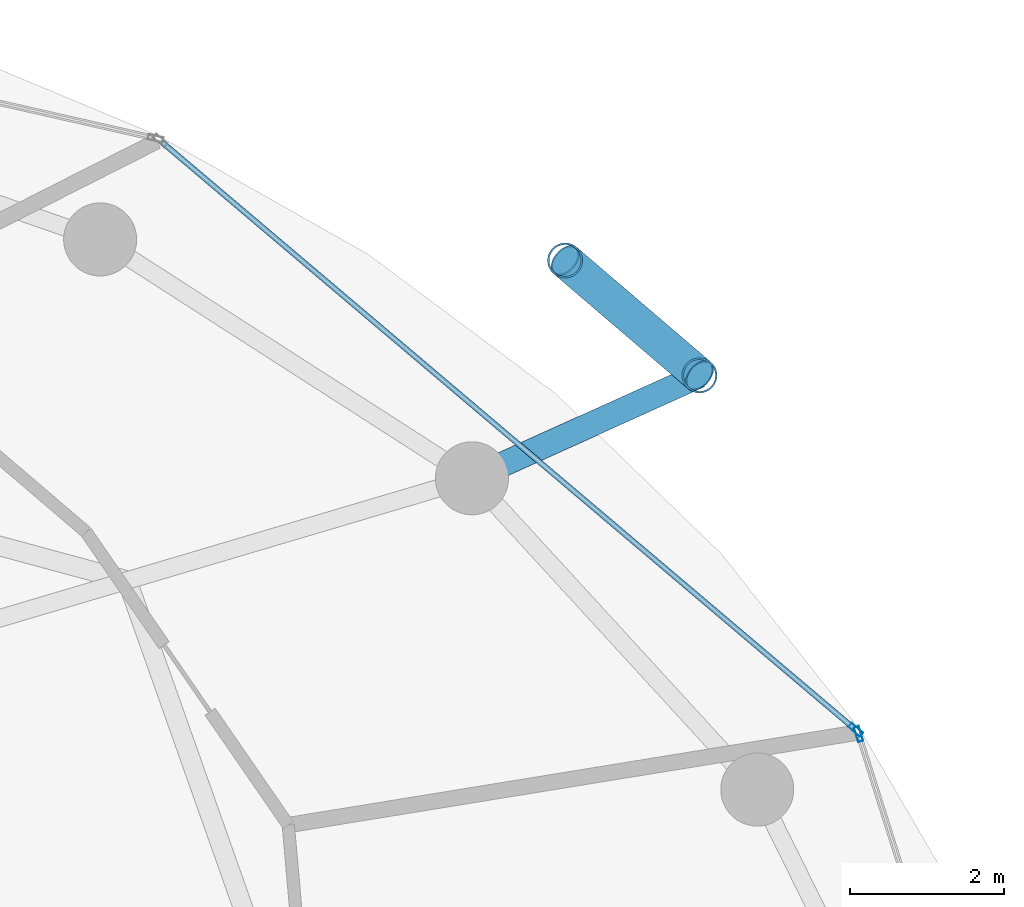
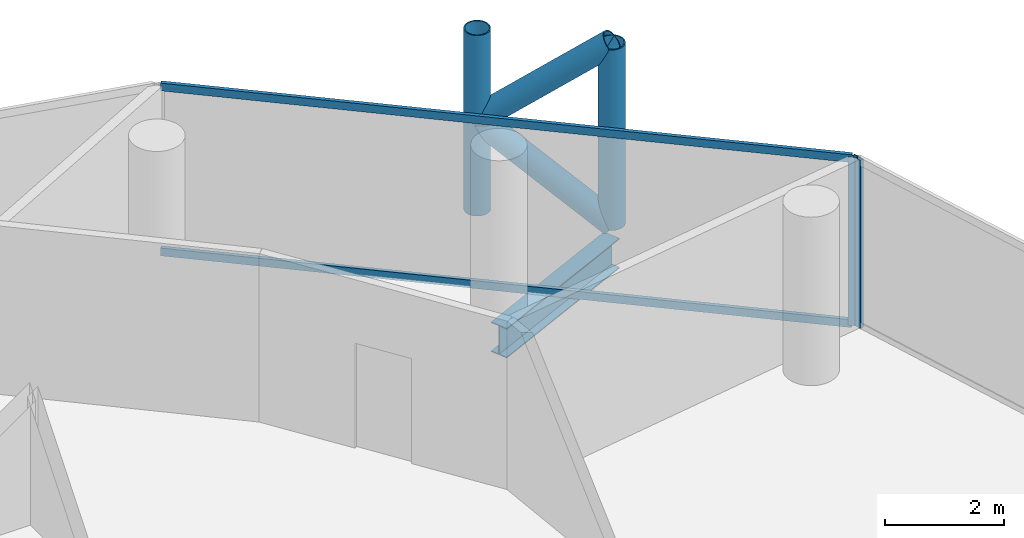
# One storey, part 19 of 26: 8 members, 1 beam, 2 elements without a shape of their own.
"""IFC4 building model written with IfcOpenShell, lengths in metres."""

from ifc_helpers import new_model, si_unit, direction, frame, origin, origin_2d, place, context, subcontext, project, spatial, hollow_rectangle, hollow_circle, i_section, extrude, material, layer, layer_set, material_profile, profile_set, type_object, element, aggregate, save


model = new_model("IFC4")

# Units and contexts
model_context = context("Model", 3, precision=1e-05, world=origin(), true_north=direction((0.0, 1.0)))
body_context = subcontext(model_context, "Body", "Model", "MODEL_VIEW")
ifc_project = project(units=[si_unit("LENGTHUNIT", "METRE"), si_unit("AREAUNIT", "SQUARE_METRE"), si_unit("VOLUMEUNIT", "CUBIC_METRE"), si_unit("PLANEANGLEUNIT", "RADIAN"), si_unit("MASSUNIT", "GRAM", prefix="KILO")], contexts=[model_context])

# Site, building, storey
site_placement = place(None, origin())
site = spatial("IfcSite", under=ifc_project, at=site_placement, CompositionType="ELEMENT")
building_placement = place(site_placement, origin())
building = spatial("IfcBuilding", under=site, at=building_placement, Name="Nuhasar Tower", CompositionType="ELEMENT")
storey_placement = place(building_placement, frame((0.0, 0.0, 188.550048828125)))
storey = spatial("IfcBuildingStorey", under=building, at=storey_placement, Name="L46", CompositionType="ELEMENT", Elevation=188.550048828125)

# Beam
ifc_material_1 = material(Name="Steel S355", Category="steel")
ifc_material_profile_1 = material_profile(ifc_material_1, i_section(OverallWidth=0.323974609375, OverallDepth=0.611083984375, WebThickness=0.0126953125, FlangeThickness=0.01904296875, at=origin_2d()), Name="W24X104")
ifc_profile_set_1 = profile_set([ifc_material_profile_1], Name="Steel S355")
beam_type = type_object("IfcBeamType", Name="BM-TIE-W24X104", PredefinedType="BEAM", material=ifc_profile_set_1)
beam_placement = place(storey_placement, frame((55.510986328125, 40.6240234375, -0.554931640625), z_axis=(0.911239591969, 0.411876687891, 0.0), x_axis=(-0.411876687891, 0.911239591969, 0.0)))
element("IfcBeam", 1, at=beam_placement, inside=storey, type_object=beam_type, Name="L46 Exoskeleton Node Tie Beam 02", PredefinedType="BEAM", context=body_context, shape_type="SweptSolid", body=[
    extrude(i_section(OverallWidth=0.323974609375, OverallDepth=0.611083984375, WebThickness=0.0126953125, FlangeThickness=0.01904296875, at=origin_2d()), origin(), (0.0, 0.0, 1.0), 3.248291015625),
])

# Curtain wall, member
ifc_material_2 = material(Name="Aluminium 6063-T6", Category="aluminium")
ifc_layer = layer(ifc_material_2, 0.199951171875)
ifc_layer_set = layer_set([ifc_layer], Name="Aluminium 6063-T6")
curtain_wall_type = type_object("IfcCurtainWallType", Name="CW-Z2-HTL", PredefinedType="NOTDEFINED", material=ifc_layer_set)
curtain_wall_1_placement = place(storey_placement, origin())
curtain_wall_1 = element("IfcCurtainWall", 2, at=curtain_wall_1_placement, inside=storey, type_object=curtain_wall_type, Name="L46 Unitised Curtain Wall 01", PredefinedType="NOTDEFINED")
ifc_material_profile_2 = material_profile(ifc_material_2, hollow_rectangle(XDim=0.070068359375, YDim=0.199951171875, WallThickness=0.0048828125, at=origin_2d()), Name="CWM-3")
ifc_profile_set_2 = profile_set([ifc_material_profile_2], Name="Aluminium 6063-T6")
member_type_1 = type_object("IfcMemberType", Name="CW-MUL-S3", PredefinedType="MULLION", material=ifc_profile_set_2)
member_1_placement = place(storey_placement, frame((60.53955078125, 37.296630859375, 0.0), z_axis=(0.0, 0.0, 1.0), x_axis=(-0.953433389233, -0.301603667577, 0.0)))
member_1 = element("IfcMember", 3, at=member_1_placement, type_object=member_type_1, Name="CW-Z2 mullion 2", PredefinedType="MULLION", context=body_context, shape_type="SweptSolid", body=[
    extrude(hollow_rectangle(XDim=0.070068359375, YDim=0.199951171875, WallThickness=0.0048828125, at=origin_2d()), origin(), (0.0, 0.0, 1.0), 3.449951171875),
])
aggregate(curtain_wall_1, [member_1])

# Curtain wall, members
curtain_wall_2_placement = place(storey_placement, origin())
curtain_wall_2 = element("IfcCurtainWall", 4, at=curtain_wall_2_placement, inside=storey, type_object=curtain_wall_type, Name="L46 Unitised Curtain Wall 02", PredefinedType="NOTDEFINED")
member_2_placement = place(storey_placement, frame((60.502197265625, 37.3525390625, 0.0), z_axis=(0.0, 0.0, 1.0), x_axis=(-0.646374438324, -0.763020370292, 0.0)))
member_2 = element("IfcMember", 5, at=member_2_placement, type_object=member_type_1, Name="CW-Z2 mullion 1", PredefinedType="MULLION", context=body_context, shape_type="SweptSolid", body=[
    extrude(hollow_rectangle(XDim=0.070068359375, YDim=0.199951171875, WallThickness=0.0048828125, at=origin_2d()), origin(), (0.0, 0.0, 1.0), 3.449951171875),
])
ifc_material_profile_3 = material_profile(ifc_material_2, hollow_rectangle(XDim=0.070068359375, YDim=0.159912109375, WallThickness=0.00439453125, at=origin_2d()), Name="CWT-3")
ifc_profile_set_3 = profile_set([ifc_material_profile_3], Name="Aluminium 6063-T6")
member_type_2 = type_object("IfcMemberType", Name="CW-TRN-S3", PredefinedType="USERDEFINED", material=ifc_profile_set_3)
member_3_placement = place(storey_placement, frame((60.4755859375, 37.375244140625, 0.034912109375), z_axis=(-0.763023915269, 0.646370253592, 0.0), x_axis=(-0.646370253592, -0.763023915269, 0.0)))
member_3 = element("IfcMember", 6, at=member_3_placement, type_object=member_type_2, Name="CW-Z2 transom 1.1", ObjectType="TRANSOM", PredefinedType="USERDEFINED", context=body_context, shape_type="SweptSolid", body=[
    extrude(hollow_rectangle(XDim=0.070068359375, YDim=0.159912109375, WallThickness=0.00439453125, at=origin_2d()), origin(), (0.0, 0.0, 1.0), 11.784912109375),
])
member_4_placement = place(storey_placement, frame((60.4755859375, 37.375244140625, 3.4150390625), z_axis=(-0.763023915269, 0.646370253592, 0.0), x_axis=(-0.646370253592, -0.763023915269, 0.0)))
member_4 = element("IfcMember", 7, at=member_4_placement, type_object=member_type_2, Name="CW-Z2 transom 1.2", ObjectType="TRANSOM", PredefinedType="USERDEFINED", context=body_context, shape_type="SweptSolid", body=[
    extrude(hollow_rectangle(XDim=0.070068359375, YDim=0.159912109375, WallThickness=0.00439453125, at=origin_2d()), origin(), (0.0, 0.0, 1.0), 11.784912109375),
])
aggregate(curtain_wall_2, [member_2, member_3, member_4])

# Members
ifc_material_3 = material(Name="Steel S460", Category="steel")
ifc_material_profile_4 = material_profile(ifc_material_3, hollow_circle(Radius=0.228515625, WallThickness=0.022216796875, at=origin_2d()), Name="HSS457X22.2")
ifc_profile_set_4 = profile_set([ifc_material_profile_4], Name="Steel S460")
member_type_3 = type_object("IfcMemberType", Name="EXO-BRONZE-457", PredefinedType="BRACE", material=ifc_profile_set_4)
for number, where, z_axis, x_axis, name in (
    (8, (58.470947265625, 41.9619140625, 0.0), (0.0, 0.0, 1.0), (1.0, 0.0, 0.0), "L46 Exoskeleton Chord Column EC-02A"),
    (9, (56.722900390625, 43.45703125, 0.0), (0.0, 0.0, 1.0), (1.0, 0.0, 0.0), "L46 Exoskeleton Chord Column EC-02B"),
):
    element("IfcMember", number, at=place(storey_placement, frame(where, z_axis=z_axis, x_axis=x_axis)), inside=storey, type_object=member_type_3, Name=name, PredefinedType="BRACE", context=body_context, shape_type="SweptSolid", body=[
        extrude(hollow_circle(Radius=0.228515625, WallThickness=0.022216796875, at=origin_2d()), origin(), (0.0, 0.0, 1.0), 3.699951171875),
    ])
member_5_placement = place(storey_placement, frame((58.470947265625, 41.9619140625, 0.0), z_axis=(-0.592201065785, 0.506513872468, 0.626690988192), x_axis=(-0.649986859795, -0.759945446788, 0.0)))
element("IfcMember", 10, at=member_5_placement, inside=storey, type_object=member_type_3, Name="L46 Bronze Diagrid Brace W1-02", PredefinedType="BRACE", context=body_context, shape_type="SweptSolid", body=[
    extrude(hollow_circle(Radius=0.228515625, WallThickness=0.022216796875, at=origin_2d()), origin(), (0.0, 0.0, 1.0), 2.95166015625),
])
member_6_placement = place(storey_placement, frame((56.722900390625, 43.45703125, 1.849853515625), z_axis=(0.592170370358, -0.506487618445, 0.626741210415), x_axis=(0.649986859795, 0.759945446788, 0.0)))
element("IfcMember", 11, at=member_6_placement, inside=storey, type_object=member_type_3, Name="L46 Bronze Diagrid Brace W2-02", PredefinedType="BRACE", context=body_context, shape_type="SweptSolid", body=[
    extrude(hollow_circle(Radius=0.228515625, WallThickness=0.022216796875, at=origin_2d()), origin(), (0.0, 0.0, 1.0), 2.951904296875),
])

save(model, "model.ifc")
